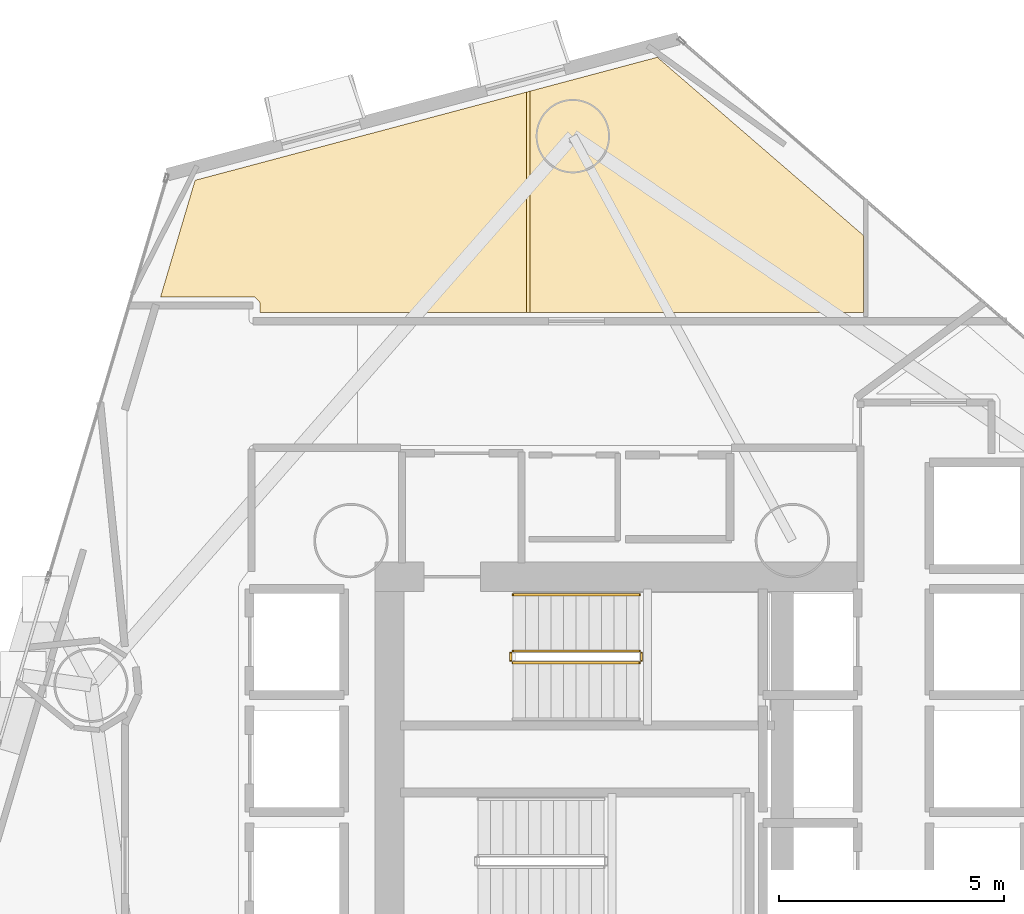
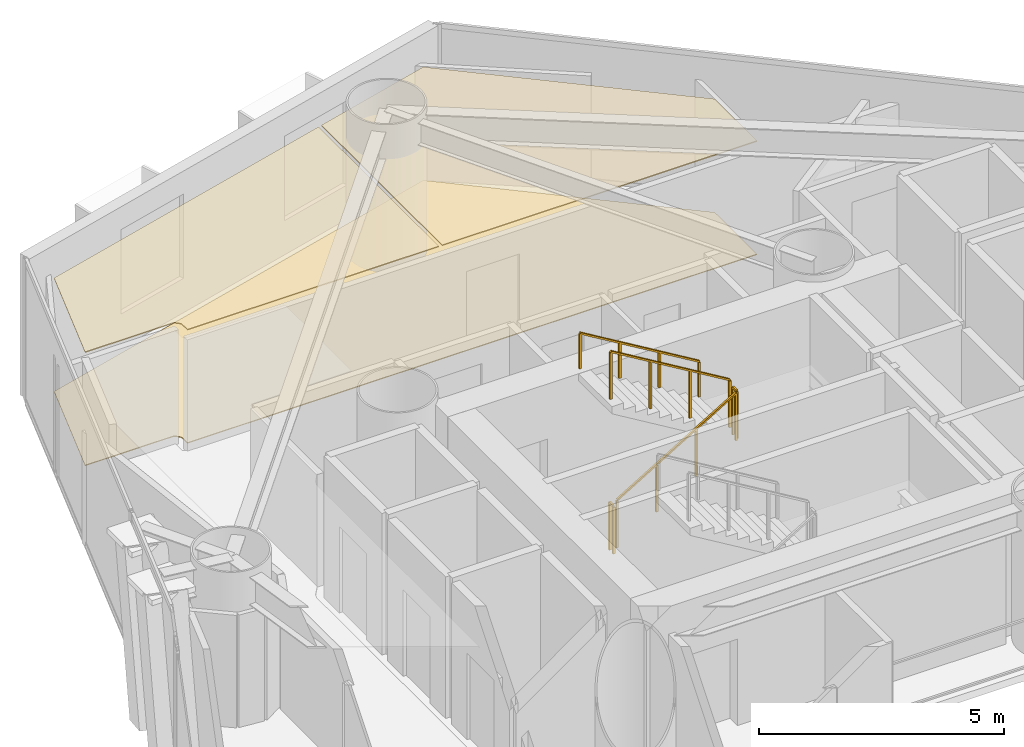
# One storey, part 22 of 23: 5 railings, 3 coverings.
"""IFC4 building model written with IfcOpenShell, lengths in metres."""

from ifc_helpers import new_model, si_unit, direction, frame, origin, origin_2d, place, context, subcontext, project, spatial, polyline, rectangle, outline, extrude, material, layer, layer_set, type_object, element, save


model = new_model("IFC4")

# Units and contexts
model_context = context("Model", 3, precision=1e-05, world=origin(), true_north=direction((0.0, 1.0)))
body_context = subcontext(model_context, "Body", "Model", "MODEL_VIEW")
ifc_project = project(units=[si_unit("LENGTHUNIT", "METRE"), si_unit("AREAUNIT", "SQUARE_METRE"), si_unit("VOLUMEUNIT", "CUBIC_METRE"), si_unit("PLANEANGLEUNIT", "RADIAN"), si_unit("MASSUNIT", "GRAM", prefix="KILO")], contexts=[model_context])

# Site, building, storey
site_placement = place(None, origin())
site = spatial("IfcSite", under=ifc_project, at=site_placement, CompositionType="ELEMENT")
building_placement = place(site_placement, origin())
building = spatial("IfcBuilding", under=site, at=building_placement, Name="Qianvela Tower", CompositionType="ELEMENT")
storey_placement = place(building_placement, frame((0.0, 0.0, 74.699951171875)))
storey = spatial("IfcBuildingStorey", under=building, at=storey_placement, Name="L18", CompositionType="ELEMENT", Elevation=74.699951171875)

# Coverings
ifc_material_1 = material(Name="Perforated Mineral Acoustic Ceiling Tile")
ifc_layer_1 = layer(ifc_material_1, 0.02490234375)
ifc_layer_set_1 = layer_set([ifc_layer_1], Name="Perforated Mineral Acoustic Ceiling Tile")
covering_type_1 = type_object("IfcCoveringType", Name="COV-CEIL-ACOUSTIC-25", PredefinedType="CEILING", material=ifc_layer_set_1)
covering_1_placement = place(storey_placement, frame((0.0, 0.0, 2.81494140625)))
element("IfcCovering", 1, at=covering_1_placement, inside=storey, type_object=covering_type_1, Name="L18 Acoustic Ceiling Bay 1 Social Sitting Lounge L18-04", PredefinedType="CEILING", context=body_context, shape_type="SweptSolid", body=[
    extrude(outline(polyline([(26.57958984375, 38.610107421875), (26.57861328125, 38.81591796875), (26.577880859375, 38.82373046875), (26.576904296875, 38.83154296875), (26.574951171875, 38.839111328125), (26.572265625, 38.846435546875), (26.56884765625, 38.853515625), (26.56494140625, 38.860107421875), (26.560302734375, 38.866455078125), (26.554931640625, 38.872314453125), (26.4921875, 38.93505859375), (26.486328125, 38.940185546875), (26.47998046875, 38.945068359375), (26.473388671875, 38.948974609375), (26.46630859375, 38.952392578125), (26.458984375, 38.955078125), (26.451416015625, 38.956787109375), (26.443603515625, 38.9580078125), (26.435791015625, 38.95849609375), (24.372802734375, 38.9599609375), (25.138916015625, 41.549560546875), (32.492919921875, 43.507080078125), (32.492919921875, 38.610107421875), (26.57958984375, 38.610107421875)])), origin(), (0.0, 0.0, 1.0), 0.025146484375),
])
covering_2_placement = place(storey_placement, frame((0.0, 0.0, 2.81494140625)))
element("IfcCovering", 2, at=covering_2_placement, inside=storey, type_object=covering_type_1, Name="L18 Acoustic Ceiling Bay 2 Social Sitting Lounge L18-04", PredefinedType="CEILING", context=body_context, shape_type="SweptSolid", body=[
    extrude(outline(polyline([(39.97802734375, 38.610107421875), (32.57275390625, 38.610107421875), (32.57275390625, 43.5283203125), (35.4013671875, 44.28125), (39.97802734375, 40.326171875), (39.97802734375, 38.610107421875)])), origin(), (0.0, 0.0, 1.0), 0.025146484375),
])
ifc_material_2 = material(Name="Engineered Acoustic Oak Timber Flooring", Category="wood")
ifc_layer_2 = layer(ifc_material_2, 0.02001953125)
ifc_layer_set_2 = layer_set([ifc_layer_2], Name="Engineered Acoustic Oak Timber Flooring")
covering_type_2 = type_object("IfcCoveringType", Name="COV-FLOOR-OAK-20", PredefinedType="FLOORING", material=ifc_layer_set_2)
covering_3_placement = place(storey_placement, origin())
element("IfcCovering", 3, at=covering_3_placement, inside=storey, type_object=covering_type_2, Name="L18 Finish Flooring Social Sitting Lounge L18-04", PredefinedType="FLOORING", context=body_context, shape_type="SweptSolid", body=[
    extrude(outline(polyline([(39.97802734375, 40.326171875), (39.97802734375, 38.610107421875), (26.57958984375, 38.610107421875), (26.57861328125, 38.81591796875), (26.577880859375, 38.82373046875), (26.576904296875, 38.83154296875), (26.574951171875, 38.839111328125), (26.572265625, 38.846435546875), (26.56884765625, 38.853515625), (26.56494140625, 38.860107421875), (26.560302734375, 38.866455078125), (26.554931640625, 38.872314453125), (26.4921875, 38.93505859375), (26.486328125, 38.940185546875), (26.47998046875, 38.945068359375), (26.473388671875, 38.948974609375), (26.46630859375, 38.952392578125), (26.458984375, 38.955078125), (26.451416015625, 38.956787109375), (26.443603515625, 38.9580078125), (26.435791015625, 38.95849609375), (24.372802734375, 38.9599609375), (25.138916015625, 41.549560546875), (35.4013671875, 44.28125), (39.97802734375, 40.326171875)])), origin(), (0.0, 0.0, 1.0), 0.02001953125),
])

# Railings
ifc_material_3 = material(Name="Painted Tubular Steel Q355B", Category="steel")
railing_type_1 = type_object("IfcRailingType", Name="RL-STAIR-GUARD-1200", PredefinedType="GUARDRAIL", material=ifc_material_3)
railing_1_placement = place(storey_placement, frame((32.199951171875, 30.840087890625, 0.168212890625)))
element("IfcRailing", 4, at=railing_1_placement, inside=storey, type_object=railing_type_1, Name="L18 ST-1 stair guard 1", PredefinedType="GUARDRAIL", context=body_context, shape_type="SweptSolid", body=[
    extrude(rectangle(XDim=0.050048828125, YDim=0.0400390625, at=origin_2d()), frame((0.0, 0.0, 1.179931640625), z_axis=(0.857242210791, 0.0, 0.514913383045), x_axis=(0.0, 1.0, 0.0)), (0.0, 0.0, 1.0), 3.266357421875),
    extrude(rectangle(XDim=0.050048828125, YDim=0.050048828125, at=origin_2d()), origin(), (0.0, 0.0, 1.0), 1.159912109375),
    extrude(rectangle(XDim=0.050048828125, YDim=0.050048828125, at=origin_2d()), frame((0.933349609375, 0.0, 0.560546875)), (0.0, 0.0, 1.0), 1.159912109375),
    extrude(rectangle(XDim=0.050048828125, YDim=0.050048828125, at=origin_2d()), frame((1.86669921875, 0.0, 1.121337890625)), (0.0, 0.0, 1.0), 1.159912109375),
    extrude(rectangle(XDim=0.050048828125, YDim=0.050048828125, at=origin_2d()), frame((2.800048828125, 0.0, 1.681884765625)), (0.0, 0.0, 1.0), 1.159912109375),
])
railing_2_placement = place(storey_placement, frame((35.050048828125, 30.889892578125, 1.85009765625)))
element("IfcRailing", 5, at=railing_2_placement, inside=storey, type_object=railing_type_1, Name="L18 ST-1 stair guard 2", PredefinedType="GUARDRAIL", context=body_context, shape_type="SweptSolid", body=[
    extrude(rectangle(XDim=0.050048828125, YDim=0.0400390625, at=origin_2d()), frame((0.0, 0.0, 1.179931640625), z_axis=(0.0, 1.0, 0.0), x_axis=(-1.0, 0.0, 0.0)), (0.0, 0.0, 1.0), 0.16015625),
    extrude(rectangle(XDim=0.050048828125, YDim=0.050048828125, at=origin_2d()), origin(), (0.0, 0.0, 1.0), 1.159912109375),
    extrude(rectangle(XDim=0.050048828125, YDim=0.050048828125, at=origin_2d()), frame((0.0, 0.16015625, 0.0)), (0.0, 0.0, 1.0), 1.159912109375),
])
railing_3_placement = place(storey_placement, frame((35.0, 31.10009765625, 2.018310546875)))
element("IfcRailing", 6, at=railing_3_placement, inside=storey, type_object=railing_type_1, Name="L18 ST-1 stair guard 3", PredefinedType="GUARDRAIL", context=body_context, shape_type="SweptSolid", body=[
    extrude(rectangle(XDim=0.050048828125, YDim=0.0400390625, at=origin_2d()), frame((0.0, 0.0, 1.179931640625), z_axis=(-0.857275202839, 0.0, 0.514858452973), x_axis=(0.0, -1.0, 0.0)), (0.0, 0.0, 1.0), 3.26611328125),
    extrude(rectangle(XDim=0.050048828125, YDim=0.050048828125, at=origin_2d()), origin(), (0.0, 0.0, 1.0), 1.159912109375),
    extrude(rectangle(XDim=0.050048828125, YDim=0.050048828125, at=origin_2d()), frame((-0.933349609375, 0.0, 0.560546875)), (0.0, 0.0, 1.0), 1.159912109375),
    extrude(rectangle(XDim=0.050048828125, YDim=0.050048828125, at=origin_2d()), frame((-1.86669921875, 0.0, 1.12109375)), (0.0, 0.0, 1.0), 1.159912109375),
    extrude(rectangle(XDim=0.050048828125, YDim=0.050048828125, at=origin_2d()), frame((-2.800048828125, 0.0, 1.681640625)), (0.0, 0.0, 1.0), 1.159912109375),
])
railing_4_placement = place(storey_placement, frame((32.14990234375, 30.889892578125, 0.0)))
element("IfcRailing", 7, at=railing_4_placement, inside=storey, type_object=railing_type_1, Name="L18 ST-1 stair guard 4", PredefinedType="GUARDRAIL", context=body_context, shape_type="SweptSolid", body=[
    extrude(rectangle(XDim=0.050048828125, YDim=0.0400390625, at=origin_2d()), frame((0.0, 0.0, 1.179931640625), z_axis=(0.0, 1.0, 0.0), x_axis=(-1.0, 0.0, 0.0)), (0.0, 0.0, 1.0), 0.16015625),
    extrude(rectangle(XDim=0.050048828125, YDim=0.050048828125, at=origin_2d()), origin(), (0.0, 0.0, 1.0), 1.159912109375),
    extrude(rectangle(XDim=0.050048828125, YDim=0.050048828125, at=origin_2d()), frame((0.0, 0.16015625, 0.0)), (0.0, 0.0, 1.0), 1.159912109375),
])
ifc_material_4 = material(Name="Brushed Stainless Steel 304", Category="steel")
railing_type_2 = type_object("IfcRailingType", Name="RL-STAIR-HANDRAIL-900", PredefinedType="HANDRAIL", material=ifc_material_4)
railing_5_placement = place(storey_placement, frame((35.0, 32.35009765625, 2.018310546875)))
element("IfcRailing", 8, at=railing_5_placement, inside=storey, type_object=railing_type_2, Name="L18 ST-1 stair handrail 2", PredefinedType="HANDRAIL", context=body_context, shape_type="SweptSolid", body=[
    extrude(rectangle(XDim=0.050048828125, YDim=0.0400390625, at=origin_2d()), frame((0.0, 0.0, 0.8798828125), z_axis=(-0.857275202839, 0.0, 0.514858452973), x_axis=(0.0, -1.0, 0.0)), (0.0, 0.0, 1.0), 3.26611328125),
    extrude(rectangle(XDim=0.050048828125, YDim=0.050048828125, at=origin_2d()), origin(), (0.0, 0.0, 1.0), 0.85986328125),
    extrude(rectangle(XDim=0.050048828125, YDim=0.050048828125, at=origin_2d()), frame((-0.933349609375, 0.0, 0.560546875)), (0.0, 0.0, 1.0), 0.85986328125),
    extrude(rectangle(XDim=0.050048828125, YDim=0.050048828125, at=origin_2d()), frame((-1.86669921875, 0.0, 1.12109375)), (0.0, 0.0, 1.0), 0.85986328125),
    extrude(rectangle(XDim=0.050048828125, YDim=0.050048828125, at=origin_2d()), frame((-2.800048828125, 0.0, 1.681640625)), (0.0, 0.0, 1.0), 0.85986328125),
])

save(model, "model.ifc")
